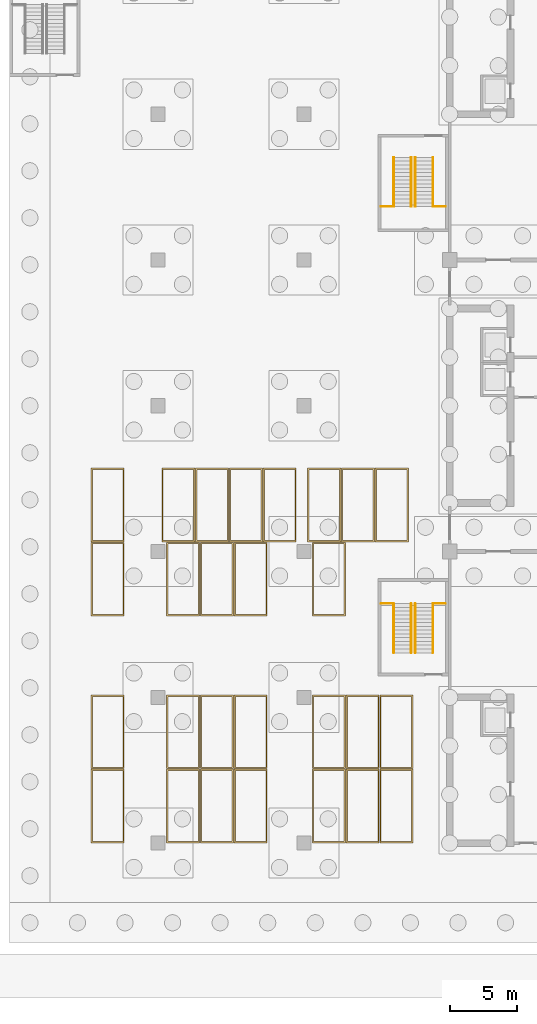
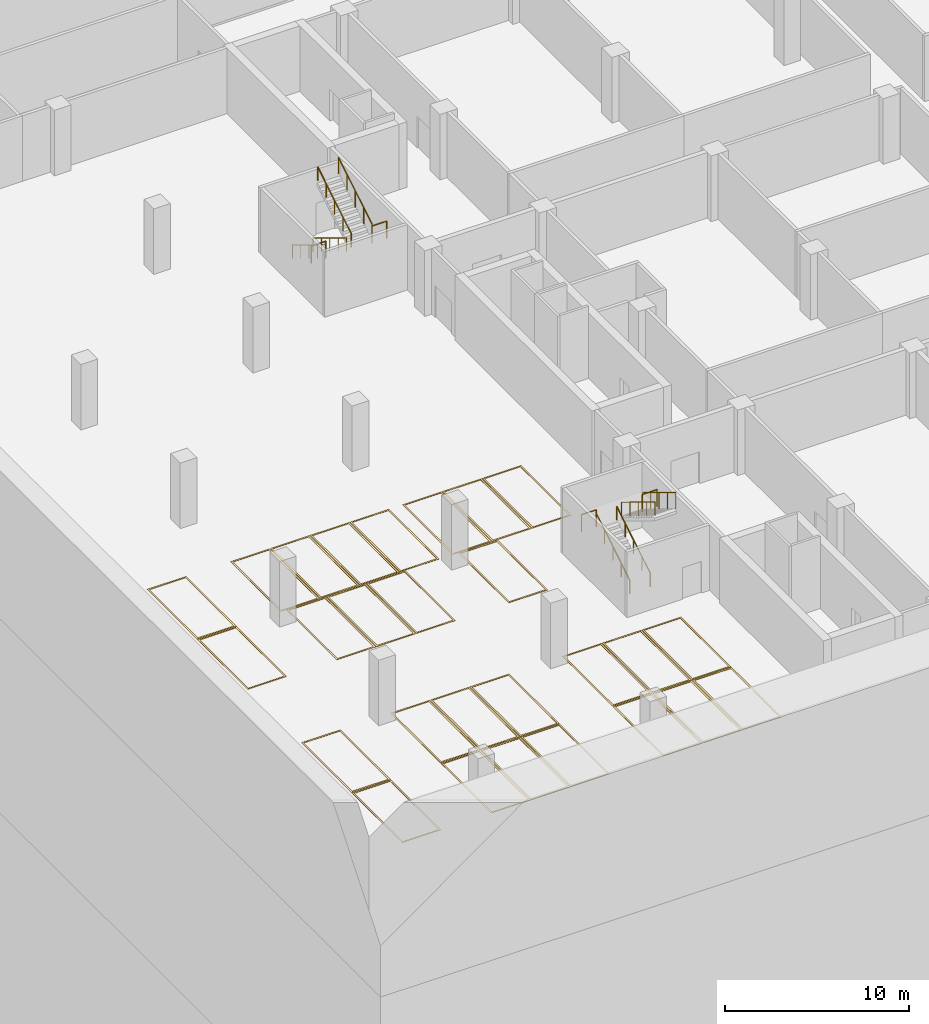
# One storey, part 13 of 18: 27 coverings, 12 railings.
"""IFC4 building model written with IfcOpenShell, lengths in metres."""

from ifc_helpers import new_model, si_unit, direction, frame, origin, origin_2d, place, context, subcontext, project, spatial, polyline, circle, outline, extrude, material, layer, layer_set, type_object, element, save


model = new_model("IFC4")

# Units and contexts
model_context = context("Model", 3, precision=1e-05, world=origin(), true_north=direction((0.0, 1.0)))
body_context = subcontext(model_context, "Body", "Model", "MODEL_VIEW")
ifc_project = project(units=[si_unit("LENGTHUNIT", "METRE"), si_unit("AREAUNIT", "SQUARE_METRE"), si_unit("VOLUMEUNIT", "CUBIC_METRE"), si_unit("PLANEANGLEUNIT", "RADIAN"), si_unit("MASSUNIT", "GRAM", prefix="KILO")], contexts=[model_context])

# Site, building, storey
site_placement = place(None, origin())
site = spatial("IfcSite", under=ifc_project, at=site_placement, CompositionType="ELEMENT")
building_placement = place(site_placement, origin())
building = spatial("IfcBuilding", under=site, at=building_placement, Name="Basin Gate Institute", CompositionType="ELEMENT")
storey_placement = place(building_placement, frame((0.0, 0.0, -9.60009765625)))
storey = spatial("IfcBuildingStorey", under=building, at=storey_placement, Name="B2", CompositionType="ELEMENT", Elevation=-9.60009765625)

# Coverings
ifc_material_1 = material(Name="Road marking paint, white")
ifc_layer = layer(ifc_material_1, 0.010009765625)
ifc_layer_set = layer_set([ifc_layer], Name="Parking bay marking PM1")
covering_type = type_object("IfcCoveringType", Name="Parking bay marking PM1", PredefinedType="FLOORING", material=ifc_layer_set)
covering_1_placement = place(storey_placement, origin())
element("IfcCovering", 1, at=covering_1_placement, inside=storey, type_object=covering_type, material=ifc_layer_set, Name="Parking bay marking B2-01 01", PredefinedType="FLOORING", context=body_context, shape_type="SweptSolid", body=[
    extrude(outline(polyline([(34.6201171875, 35.1201171875), (37.080078125, 35.1201171875), (37.080078125, 40.580078125), (34.6201171875, 40.580078125), (34.6201171875, 35.1201171875)]), holes=[polyline([(34.719970703125, 35.219970703125), (36.97998046875, 35.219970703125), (36.97998046875, 40.47998046875), (34.719970703125, 40.47998046875), (34.719970703125, 35.219970703125)])]), origin(), (0.0, 0.0, 1.0), 0.010009765625),
])
covering_2_placement = place(storey_placement, origin())
element("IfcCovering", 2, at=covering_2_placement, inside=storey, type_object=covering_type, material=ifc_layer_set, Name="Parking bay marking B2-01 02", PredefinedType="FLOORING", context=body_context, shape_type="SweptSolid", body=[
    extrude(outline(polyline([(40.219970703125, 35.1201171875), (42.679931640625, 35.1201171875), (42.679931640625, 40.580078125), (40.219970703125, 40.580078125), (40.219970703125, 35.1201171875)]), holes=[polyline([(40.320068359375, 35.219970703125), (42.580078125, 35.219970703125), (42.580078125, 40.47998046875), (40.320068359375, 40.47998046875), (40.320068359375, 35.219970703125)])]), origin(), (0.0, 0.0, 1.0), 0.010009765625),
])
covering_3_placement = place(storey_placement, origin())
element("IfcCovering", 3, at=covering_3_placement, inside=storey, type_object=covering_type, material=ifc_layer_set, Name="Parking bay marking B2-01 03", PredefinedType="FLOORING", context=body_context, shape_type="SweptSolid", body=[
    extrude(outline(polyline([(42.719970703125, 35.1201171875), (45.179931640625, 35.1201171875), (45.179931640625, 40.580078125), (42.719970703125, 40.580078125), (42.719970703125, 35.1201171875)]), holes=[polyline([(42.820068359375, 35.219970703125), (45.080078125, 35.219970703125), (45.080078125, 40.47998046875), (42.820068359375, 40.47998046875), (42.820068359375, 35.219970703125)])]), origin(), (0.0, 0.0, 1.0), 0.010009765625),
])
covering_4_placement = place(storey_placement, origin())
element("IfcCovering", 4, at=covering_4_placement, inside=storey, type_object=covering_type, material=ifc_layer_set, Name="Parking bay marking B2-01 04", PredefinedType="FLOORING", context=body_context, shape_type="SweptSolid", body=[
    extrude(outline(polyline([(45.219970703125, 35.1201171875), (47.679931640625, 35.1201171875), (47.679931640625, 40.580078125), (45.219970703125, 40.580078125), (45.219970703125, 35.1201171875)]), holes=[polyline([(45.320068359375, 35.219970703125), (47.580078125, 35.219970703125), (47.580078125, 40.47998046875), (45.320068359375, 40.47998046875), (45.320068359375, 35.219970703125)])]), origin(), (0.0, 0.0, 1.0), 0.010009765625),
])
covering_5_placement = place(storey_placement, origin())
element("IfcCovering", 5, at=covering_5_placement, inside=storey, type_object=covering_type, material=ifc_layer_set, Name="Parking bay marking B2-01 05", PredefinedType="FLOORING", context=body_context, shape_type="SweptSolid", body=[
    extrude(outline(polyline([(51.02001953125, 35.1201171875), (53.47998046875, 35.1201171875), (53.47998046875, 40.580078125), (51.02001953125, 40.580078125), (51.02001953125, 35.1201171875)]), holes=[polyline([(51.1201171875, 35.219970703125), (53.3798828125, 35.219970703125), (53.3798828125, 40.47998046875), (51.1201171875, 40.47998046875), (51.1201171875, 35.219970703125)])]), origin(), (0.0, 0.0, 1.0), 0.010009765625),
])
covering_6_placement = place(storey_placement, origin())
element("IfcCovering", 6, at=covering_6_placement, inside=storey, type_object=covering_type, material=ifc_layer_set, Name="Parking bay marking B2-01 06", PredefinedType="FLOORING", context=body_context, shape_type="SweptSolid", body=[
    extrude(outline(polyline([(53.52001953125, 35.1201171875), (55.97998046875, 35.1201171875), (55.97998046875, 40.580078125), (53.52001953125, 40.580078125), (53.52001953125, 35.1201171875)]), holes=[polyline([(53.6201171875, 35.219970703125), (55.8798828125, 35.219970703125), (55.8798828125, 40.47998046875), (53.6201171875, 40.47998046875), (53.6201171875, 35.219970703125)])]), origin(), (0.0, 0.0, 1.0), 0.010009765625),
])
covering_7_placement = place(storey_placement, origin())
element("IfcCovering", 7, at=covering_7_placement, inside=storey, type_object=covering_type, material=ifc_layer_set, Name="Parking bay marking B2-01 07", PredefinedType="FLOORING", context=body_context, shape_type="SweptSolid", body=[
    extrude(outline(polyline([(56.02001953125, 35.1201171875), (58.47998046875, 35.1201171875), (58.47998046875, 40.580078125), (56.02001953125, 40.580078125), (56.02001953125, 35.1201171875)]), holes=[polyline([(56.1201171875, 35.219970703125), (58.3798828125, 35.219970703125), (58.3798828125, 40.47998046875), (56.1201171875, 40.47998046875), (56.1201171875, 35.219970703125)])]), origin(), (0.0, 0.0, 1.0), 0.010009765625),
])
covering_8_placement = place(storey_placement, origin())
element("IfcCovering", 8, at=covering_8_placement, inside=storey, type_object=covering_type, material=ifc_layer_set, Name="Parking bay marking B2-01 08", PredefinedType="FLOORING", context=body_context, shape_type="SweptSolid", body=[
    extrude(outline(polyline([(34.6201171875, 40.6201171875), (37.080078125, 40.6201171875), (37.080078125, 46.080078125), (34.6201171875, 46.080078125), (34.6201171875, 40.6201171875)]), holes=[polyline([(34.719970703125, 40.719970703125), (36.97998046875, 40.719970703125), (36.97998046875, 45.97998046875), (34.719970703125, 45.97998046875), (34.719970703125, 40.719970703125)])]), origin(), (0.0, 0.0, 1.0), 0.010009765625),
])
covering_9_placement = place(storey_placement, origin())
element("IfcCovering", 9, at=covering_9_placement, inside=storey, type_object=covering_type, material=ifc_layer_set, Name="Parking bay marking B2-01 09", PredefinedType="FLOORING", context=body_context, shape_type="SweptSolid", body=[
    extrude(outline(polyline([(40.219970703125, 40.6201171875), (42.679931640625, 40.6201171875), (42.679931640625, 46.080078125), (40.219970703125, 46.080078125), (40.219970703125, 40.6201171875)]), holes=[polyline([(40.320068359375, 40.719970703125), (42.580078125, 40.719970703125), (42.580078125, 45.97998046875), (40.320068359375, 45.97998046875), (40.320068359375, 40.719970703125)])]), origin(), (0.0, 0.0, 1.0), 0.010009765625),
])
covering_10_placement = place(storey_placement, origin())
element("IfcCovering", 10, at=covering_10_placement, inside=storey, type_object=covering_type, material=ifc_layer_set, Name="Parking bay marking B2-01 10", PredefinedType="FLOORING", context=body_context, shape_type="SweptSolid", body=[
    extrude(outline(polyline([(42.719970703125, 40.6201171875), (45.179931640625, 40.6201171875), (45.179931640625, 46.080078125), (42.719970703125, 46.080078125), (42.719970703125, 40.6201171875)]), holes=[polyline([(42.820068359375, 40.719970703125), (45.080078125, 40.719970703125), (45.080078125, 45.97998046875), (42.820068359375, 45.97998046875), (42.820068359375, 40.719970703125)])]), origin(), (0.0, 0.0, 1.0), 0.010009765625),
])
covering_11_placement = place(storey_placement, origin())
element("IfcCovering", 11, at=covering_11_placement, inside=storey, type_object=covering_type, material=ifc_layer_set, Name="Parking bay marking B2-01 11", PredefinedType="FLOORING", context=body_context, shape_type="SweptSolid", body=[
    extrude(outline(polyline([(45.219970703125, 40.6201171875), (47.679931640625, 40.6201171875), (47.679931640625, 46.080078125), (45.219970703125, 46.080078125), (45.219970703125, 40.6201171875)]), holes=[polyline([(45.320068359375, 40.719970703125), (47.580078125, 40.719970703125), (47.580078125, 45.97998046875), (45.320068359375, 45.97998046875), (45.320068359375, 40.719970703125)])]), origin(), (0.0, 0.0, 1.0), 0.010009765625),
])
covering_12_placement = place(storey_placement, origin())
element("IfcCovering", 12, at=covering_12_placement, inside=storey, type_object=covering_type, material=ifc_layer_set, Name="Parking bay marking B2-01 12", PredefinedType="FLOORING", context=body_context, shape_type="SweptSolid", body=[
    extrude(outline(polyline([(51.02001953125, 40.6201171875), (53.47998046875, 40.6201171875), (53.47998046875, 46.080078125), (51.02001953125, 46.080078125), (51.02001953125, 40.6201171875)]), holes=[polyline([(51.1201171875, 40.719970703125), (53.3798828125, 40.719970703125), (53.3798828125, 45.97998046875), (51.1201171875, 45.97998046875), (51.1201171875, 40.719970703125)])]), origin(), (0.0, 0.0, 1.0), 0.010009765625),
])
covering_13_placement = place(storey_placement, origin())
element("IfcCovering", 13, at=covering_13_placement, inside=storey, type_object=covering_type, material=ifc_layer_set, Name="Parking bay marking B2-01 13", PredefinedType="FLOORING", context=body_context, shape_type="SweptSolid", body=[
    extrude(outline(polyline([(53.52001953125, 40.6201171875), (55.97998046875, 40.6201171875), (55.97998046875, 46.080078125), (53.52001953125, 46.080078125), (53.52001953125, 40.6201171875)]), holes=[polyline([(53.6201171875, 40.719970703125), (55.8798828125, 40.719970703125), (55.8798828125, 45.97998046875), (53.6201171875, 45.97998046875), (53.6201171875, 40.719970703125)])]), origin(), (0.0, 0.0, 1.0), 0.010009765625),
])
covering_14_placement = place(storey_placement, origin())
element("IfcCovering", 14, at=covering_14_placement, inside=storey, type_object=covering_type, material=ifc_layer_set, Name="Parking bay marking B2-01 14", PredefinedType="FLOORING", context=body_context, shape_type="SweptSolid", body=[
    extrude(outline(polyline([(56.02001953125, 40.6201171875), (58.47998046875, 40.6201171875), (58.47998046875, 46.080078125), (56.02001953125, 46.080078125), (56.02001953125, 40.6201171875)]), holes=[polyline([(56.1201171875, 40.719970703125), (58.3798828125, 40.719970703125), (58.3798828125, 45.97998046875), (56.1201171875, 45.97998046875), (56.1201171875, 40.719970703125)])]), origin(), (0.0, 0.0, 1.0), 0.010009765625),
])
covering_15_placement = place(storey_placement, origin())
element("IfcCovering", 15, at=covering_15_placement, inside=storey, type_object=covering_type, material=ifc_layer_set, Name="Parking bay marking B2-01 15", PredefinedType="FLOORING", context=body_context, shape_type="SweptSolid", body=[
    extrude(outline(polyline([(34.6201171875, 51.919921875), (37.080078125, 51.919921875), (37.080078125, 57.3798828125), (34.6201171875, 57.3798828125), (34.6201171875, 51.919921875)]), holes=[polyline([(34.719970703125, 52.02001953125), (36.97998046875, 52.02001953125), (36.97998046875, 57.280029296875), (34.719970703125, 57.280029296875), (34.719970703125, 52.02001953125)])]), origin(), (0.0, 0.0, 1.0), 0.010009765625),
])
covering_16_placement = place(storey_placement, origin())
element("IfcCovering", 16, at=covering_16_placement, inside=storey, type_object=covering_type, material=ifc_layer_set, Name="Parking bay marking B2-01 16", PredefinedType="FLOORING", context=body_context, shape_type="SweptSolid", body=[
    extrude(outline(polyline([(40.219970703125, 51.919921875), (42.679931640625, 51.919921875), (42.679931640625, 57.3798828125), (40.219970703125, 57.3798828125), (40.219970703125, 51.919921875)]), holes=[polyline([(40.320068359375, 52.02001953125), (42.580078125, 52.02001953125), (42.580078125, 57.280029296875), (40.320068359375, 57.280029296875), (40.320068359375, 52.02001953125)])]), origin(), (0.0, 0.0, 1.0), 0.010009765625),
])
covering_17_placement = place(storey_placement, origin())
element("IfcCovering", 17, at=covering_17_placement, inside=storey, type_object=covering_type, material=ifc_layer_set, Name="Parking bay marking B2-01 17", PredefinedType="FLOORING", context=body_context, shape_type="SweptSolid", body=[
    extrude(outline(polyline([(42.719970703125, 51.919921875), (45.179931640625, 51.919921875), (45.179931640625, 57.3798828125), (42.719970703125, 57.3798828125), (42.719970703125, 51.919921875)]), holes=[polyline([(42.820068359375, 52.02001953125), (45.080078125, 52.02001953125), (45.080078125, 57.280029296875), (42.820068359375, 57.280029296875), (42.820068359375, 52.02001953125)])]), origin(), (0.0, 0.0, 1.0), 0.010009765625),
])
covering_18_placement = place(storey_placement, origin())
element("IfcCovering", 18, at=covering_18_placement, inside=storey, type_object=covering_type, material=ifc_layer_set, Name="Parking bay marking B2-01 18", PredefinedType="FLOORING", context=body_context, shape_type="SweptSolid", body=[
    extrude(outline(polyline([(45.219970703125, 51.919921875), (47.679931640625, 51.919921875), (47.679931640625, 57.3798828125), (45.219970703125, 57.3798828125), (45.219970703125, 51.919921875)]), holes=[polyline([(45.320068359375, 52.02001953125), (47.580078125, 52.02001953125), (47.580078125, 57.280029296875), (45.320068359375, 57.280029296875), (45.320068359375, 52.02001953125)])]), origin(), (0.0, 0.0, 1.0), 0.010009765625),
])
covering_19_placement = place(storey_placement, origin())
element("IfcCovering", 19, at=covering_19_placement, inside=storey, type_object=covering_type, material=ifc_layer_set, Name="Parking bay marking B2-01 19", PredefinedType="FLOORING", context=body_context, shape_type="SweptSolid", body=[
    extrude(outline(polyline([(51.02001953125, 51.919921875), (53.47998046875, 51.919921875), (53.47998046875, 57.3798828125), (51.02001953125, 57.3798828125), (51.02001953125, 51.919921875)]), holes=[polyline([(51.1201171875, 52.02001953125), (53.3798828125, 52.02001953125), (53.3798828125, 57.280029296875), (51.1201171875, 57.280029296875), (51.1201171875, 52.02001953125)])]), origin(), (0.0, 0.0, 1.0), 0.010009765625),
])
covering_20_placement = place(storey_placement, origin())
element("IfcCovering", 20, at=covering_20_placement, inside=storey, type_object=covering_type, material=ifc_layer_set, Name="Parking bay marking B2-01 20", PredefinedType="FLOORING", context=body_context, shape_type="SweptSolid", body=[
    extrude(outline(polyline([(34.6201171875, 57.419921875), (37.080078125, 57.419921875), (37.080078125, 62.8798828125), (34.6201171875, 62.8798828125), (34.6201171875, 57.419921875)]), holes=[polyline([(34.719970703125, 57.52001953125), (36.97998046875, 57.52001953125), (36.97998046875, 62.780029296875), (34.719970703125, 62.780029296875), (34.719970703125, 57.52001953125)])]), origin(), (0.0, 0.0, 1.0), 0.010009765625),
])
covering_21_placement = place(storey_placement, origin())
element("IfcCovering", 21, at=covering_21_placement, inside=storey, type_object=covering_type, material=ifc_layer_set, Name="Parking bay marking B2-01 21", PredefinedType="FLOORING", context=body_context, shape_type="SweptSolid", body=[
    extrude(outline(polyline([(39.8701171875, 57.419921875), (42.330078125, 57.419921875), (42.330078125, 62.8798828125), (39.8701171875, 62.8798828125), (39.8701171875, 57.419921875)]), holes=[polyline([(39.969970703125, 57.52001953125), (42.22998046875, 57.52001953125), (42.22998046875, 62.780029296875), (39.969970703125, 62.780029296875), (39.969970703125, 57.52001953125)])]), origin(), (0.0, 0.0, 1.0), 0.010009765625),
])
covering_22_placement = place(storey_placement, origin())
element("IfcCovering", 22, at=covering_22_placement, inside=storey, type_object=covering_type, material=ifc_layer_set, Name="Parking bay marking B2-01 22", PredefinedType="FLOORING", context=body_context, shape_type="SweptSolid", body=[
    extrude(outline(polyline([(42.3701171875, 57.419921875), (44.830078125, 57.419921875), (44.830078125, 62.8798828125), (42.3701171875, 62.8798828125), (42.3701171875, 57.419921875)]), holes=[polyline([(42.469970703125, 57.52001953125), (44.72998046875, 57.52001953125), (44.72998046875, 62.780029296875), (42.469970703125, 62.780029296875), (42.469970703125, 57.52001953125)])]), origin(), (0.0, 0.0, 1.0), 0.010009765625),
])
covering_23_placement = place(storey_placement, origin())
element("IfcCovering", 23, at=covering_23_placement, inside=storey, type_object=covering_type, material=ifc_layer_set, Name="Parking bay marking B2-01 23", PredefinedType="FLOORING", context=body_context, shape_type="SweptSolid", body=[
    extrude(outline(polyline([(44.8701171875, 57.419921875), (47.330078125, 57.419921875), (47.330078125, 62.8798828125), (44.8701171875, 62.8798828125), (44.8701171875, 57.419921875)]), holes=[polyline([(44.969970703125, 57.52001953125), (47.22998046875, 57.52001953125), (47.22998046875, 62.780029296875), (44.969970703125, 62.780029296875), (44.969970703125, 57.52001953125)])]), origin(), (0.0, 0.0, 1.0), 0.010009765625),
])
covering_24_placement = place(storey_placement, origin())
element("IfcCovering", 24, at=covering_24_placement, inside=storey, type_object=covering_type, material=ifc_layer_set, Name="Parking bay marking B2-01 24", PredefinedType="FLOORING", context=body_context, shape_type="SweptSolid", body=[
    extrude(outline(polyline([(47.3701171875, 57.419921875), (49.830078125, 57.419921875), (49.830078125, 62.8798828125), (47.3701171875, 62.8798828125), (47.3701171875, 57.419921875)]), holes=[polyline([(47.469970703125, 57.52001953125), (49.72998046875, 57.52001953125), (49.72998046875, 62.780029296875), (47.469970703125, 62.780029296875), (47.469970703125, 57.52001953125)])]), origin(), (0.0, 0.0, 1.0), 0.010009765625),
])
covering_25_placement = place(storey_placement, origin())
element("IfcCovering", 25, at=covering_25_placement, inside=storey, type_object=covering_type, material=ifc_layer_set, Name="Parking bay marking B2-01 25", PredefinedType="FLOORING", context=body_context, shape_type="SweptSolid", body=[
    extrude(outline(polyline([(50.669921875, 57.419921875), (53.1298828125, 57.419921875), (53.1298828125, 62.8798828125), (50.669921875, 62.8798828125), (50.669921875, 57.419921875)]), holes=[polyline([(50.77001953125, 57.52001953125), (53.030029296875, 57.52001953125), (53.030029296875, 62.780029296875), (50.77001953125, 62.780029296875), (50.77001953125, 57.52001953125)])]), origin(), (0.0, 0.0, 1.0), 0.010009765625),
])
covering_26_placement = place(storey_placement, origin())
element("IfcCovering", 26, at=covering_26_placement, inside=storey, type_object=covering_type, material=ifc_layer_set, Name="Parking bay marking B2-01 26", PredefinedType="FLOORING", context=body_context, shape_type="SweptSolid", body=[
    extrude(outline(polyline([(53.169921875, 57.419921875), (55.6298828125, 57.419921875), (55.6298828125, 62.8798828125), (53.169921875, 62.8798828125), (53.169921875, 57.419921875)]), holes=[polyline([(53.27001953125, 57.52001953125), (55.530029296875, 57.52001953125), (55.530029296875, 62.780029296875), (53.27001953125, 62.780029296875), (53.27001953125, 57.52001953125)])]), origin(), (0.0, 0.0, 1.0), 0.010009765625),
])
covering_27_placement = place(storey_placement, origin())
element("IfcCovering", 27, at=covering_27_placement, inside=storey, type_object=covering_type, material=ifc_layer_set, Name="Parking bay marking B2-01 27", PredefinedType="FLOORING", context=body_context, shape_type="SweptSolid", body=[
    extrude(outline(polyline([(55.669921875, 57.419921875), (58.1298828125, 57.419921875), (58.1298828125, 62.8798828125), (55.669921875, 62.8798828125), (55.669921875, 57.419921875)]), holes=[polyline([(55.77001953125, 57.52001953125), (58.030029296875, 57.52001953125), (58.030029296875, 62.780029296875), (55.77001953125, 62.780029296875), (55.77001953125, 57.52001953125)])]), origin(), (0.0, 0.0, 1.0), 0.010009765625),
])

# Railings
ifc_material_2 = material(Name="Stainless steel", Category="steel")
railing_type_1 = type_object("IfcRailingType", Name="Stair guard GR1", PredefinedType="GUARDRAIL", material=ifc_material_2)
railing_1_placement = place(storey_placement, frame((59.949951171875, 52.840087890625, 2.571533203125)))
element("IfcRailing", 28, at=railing_1_placement, inside=storey, type_object=railing_type_1, material=ifc_material_2, Name="Stair guard GR1 BS1 GD1", PredefinedType="GUARDRAIL", context=body_context, shape_type="SweptSolid", body=[
    extrude(circle(Radius=0.02392578125, at=origin_2d()), frame((0.0, 0.0, 1.076171875), z_axis=(0.0, -0.852865859571, 0.52213008492), x_axis=(1.0, 0.0, 0.0)), (0.0, 0.0, 1.0), 4.26806640625),
    extrude(circle(Radius=0.02099609375, at=origin_2d()), origin(), (0.0, 0.0, 1.0), 1.052001953125),
    extrude(circle(Radius=0.02099609375, at=origin_2d()), frame((0.0, -0.91015625, 0.55712890625)), (0.0, 0.0, 1.0), 1.052001953125),
    extrude(circle(Radius=0.02099609375, at=origin_2d()), frame((0.0, -1.820068359375, 1.1142578125)), (0.0, 0.0, 1.0), 1.052001953125),
    extrude(circle(Radius=0.02099609375, at=origin_2d()), frame((0.0, -2.72998046875, 1.67138671875)), (0.0, 0.0, 1.0), 1.052001953125),
    extrude(circle(Radius=0.02099609375, at=origin_2d()), frame((0.0, -3.64013671875, 2.228515625)), (0.0, 0.0, 1.0), 1.052001953125),
])
railing_2_placement = place(storey_placement, frame((59.949951171875, 82.260009765625, 2.571533203125)))
element("IfcRailing", 29, at=railing_2_placement, inside=storey, type_object=railing_type_1, material=ifc_material_2, Name="Stair guard GR1 BS2 GD1", PredefinedType="GUARDRAIL", context=body_context, shape_type="SweptSolid", body=[
    extrude(circle(Radius=0.02392578125, at=origin_2d()), frame((0.0, 0.0, 1.076171875), z_axis=(0.0, 0.852850264322, 0.5221555579), x_axis=(-1.0, 0.0, 0.0)), (0.0, 0.0, 1.0), 4.267822265625),
    extrude(circle(Radius=0.02099609375, at=origin_2d()), origin(), (0.0, 0.0, 1.0), 1.052001953125),
    extrude(circle(Radius=0.02099609375, at=origin_2d()), frame((0.0, 0.909912109375, 0.55712890625)), (0.0, 0.0, 1.0), 1.052001953125),
    extrude(circle(Radius=0.02099609375, at=origin_2d()), frame((0.0, 1.81982421875, 1.1142578125)), (0.0, 0.0, 1.0), 1.052001953125),
    extrude(circle(Radius=0.02099609375, at=origin_2d()), frame((0.0, 2.72998046875, 1.67138671875)), (0.0, 0.0, 1.0), 1.052001953125),
    extrude(circle(Radius=0.02099609375, at=origin_2d()), frame((0.0, 3.639892578125, 2.228515625)), (0.0, 0.0, 1.0), 1.052001953125),
])
ifc_material_3 = material(Name="Stainless steel", Category="steel")
railing_type_2 = type_object("IfcRailingType", Name="Stair guard GR3", PredefinedType="GUARDRAIL", material=ifc_material_3)
for number, where, name in (
    (30, (59.949951171875, 52.840087890625, 2.400146484375), "Stair guard GR3 BS1 GD2"),
    (31, (56.1298828125, 52.840087890625, 2.400146484375), "Stair guard GR3 BS1 GD2b"),
    (32, (59.949951171875, 82.260009765625, 2.400146484375), "Stair guard GR3 BS2 GD2"),
    (33, (56.1298828125, 82.260009765625, 2.400146484375), "Stair guard GR3 BS2 GD2b"),
):
    element("IfcRailing", number, at=place(storey_placement, frame(where)), inside=storey, type_object=railing_type_2, material=ifc_material_3, Name=name, PredefinedType="GUARDRAIL", context=body_context, shape_type="SweptSolid", body=[
        extrude(circle(Radius=0.02392578125, at=origin_2d()), frame((0.0, 0.0, 1.1259765625), z_axis=(1.0, 0.0, 0.0), x_axis=(0.0, 1.0, 0.0)), (0.0, 0.0, 1.0), 0.920166015625),
        extrude(circle(Radius=0.02099609375, at=origin_2d()), origin(), (0.0, 0.0, 1.0), 1.101806640625),
        extrude(circle(Radius=0.02099609375, at=origin_2d()), frame((0.920166015625, 0.0, 0.0)), (0.0, 0.0, 1.0), 1.101806640625),
    ])
ifc_material_4 = material(Name="Stainless steel", Category="steel")
railing_type_3 = type_object("IfcRailingType", Name="Stair handrail HR1", PredefinedType="HANDRAIL", material=ifc_material_4)
for number, where, name in (
    (34, (57.050048828125, 49.199951171875, 0.171630859375), "Stair handrail HR1 BS1 HR1"),
    (35, (58.35009765625, 49.199951171875, 0.171630859375), "Stair handrail HR1 BS1 HR2"),
):
    element("IfcRailing", number, at=place(storey_placement, frame(where)), inside=storey, type_object=railing_type_3, material=ifc_material_4, Name=name, PredefinedType="HANDRAIL", context=body_context, shape_type="SweptSolid", body=[
        extrude(circle(Radius=0.02392578125, at=origin_2d()), frame((0.0, 0.0, 0.89599609375), z_axis=(0.0, 0.852865859571, 0.52213008492), x_axis=(-1.0, 0.0, 0.0)), (0.0, 0.0, 1.0), 4.26806640625),
        extrude(circle(Radius=0.02099609375, at=origin_2d()), origin(), (0.0, 0.0, 1.0), 0.871826171875),
        extrude(circle(Radius=0.02099609375, at=origin_2d()), frame((0.0, 0.91015625, 0.55712890625)), (0.0, 0.0, 1.0), 0.871826171875),
        extrude(circle(Radius=0.02099609375, at=origin_2d()), frame((0.0, 1.820068359375, 1.1142578125)), (0.0, 0.0, 1.0), 0.871826171875),
        extrude(circle(Radius=0.02099609375, at=origin_2d()), frame((0.0, 2.72998046875, 1.67138671875)), (0.0, 0.0, 1.0), 0.871826171875),
        extrude(circle(Radius=0.02099609375, at=origin_2d()), frame((0.0, 3.64013671875, 2.228515625)), (0.0, 0.0, 1.0), 0.871826171875),
    ])
railing_3_placement = place(storey_placement, frame((58.64990234375, 52.840087890625, 2.571533203125)))
element("IfcRailing", 36, at=railing_3_placement, inside=storey, type_object=railing_type_3, material=ifc_material_4, Name="Stair handrail HR1 BS1 HR3", PredefinedType="HANDRAIL", context=body_context, shape_type="SweptSolid", body=[
    extrude(circle(Radius=0.02392578125, at=origin_2d()), frame((0.0, 0.0, 0.89599609375), z_axis=(0.0, -0.852865859571, 0.52213008492), x_axis=(1.0, 0.0, 0.0)), (0.0, 0.0, 1.0), 4.26806640625),
    extrude(circle(Radius=0.02099609375, at=origin_2d()), origin(), (0.0, 0.0, 1.0), 0.871826171875),
    extrude(circle(Radius=0.02099609375, at=origin_2d()), frame((0.0, -0.91015625, 0.55712890625)), (0.0, 0.0, 1.0), 0.871826171875),
    extrude(circle(Radius=0.02099609375, at=origin_2d()), frame((0.0, -1.820068359375, 1.1142578125)), (0.0, 0.0, 1.0), 0.871826171875),
    extrude(circle(Radius=0.02099609375, at=origin_2d()), frame((0.0, -2.72998046875, 1.67138671875)), (0.0, 0.0, 1.0), 0.871826171875),
    extrude(circle(Radius=0.02099609375, at=origin_2d()), frame((0.0, -3.64013671875, 2.228515625)), (0.0, 0.0, 1.0), 0.871826171875),
])
for number, where, name in (
    (37, (57.050048828125, 85.89990234375, 0.171630859375), "Stair handrail HR1 BS2 HR1"),
    (38, (58.35009765625, 85.89990234375, 0.171630859375), "Stair handrail HR1 BS2 HR2"),
):
    element("IfcRailing", number, at=place(storey_placement, frame(where)), inside=storey, type_object=railing_type_3, material=ifc_material_4, Name=name, PredefinedType="HANDRAIL", context=body_context, shape_type="SweptSolid", body=[
        extrude(circle(Radius=0.02392578125, at=origin_2d()), frame((0.0, 0.0, 0.89599609375), z_axis=(0.0, -0.852850264322, 0.5221555579), x_axis=(1.0, 0.0, 0.0)), (0.0, 0.0, 1.0), 4.267822265625),
        extrude(circle(Radius=0.02099609375, at=origin_2d()), origin(), (0.0, 0.0, 1.0), 0.871826171875),
        extrude(circle(Radius=0.02099609375, at=origin_2d()), frame((0.0, -0.909912109375, 0.55712890625)), (0.0, 0.0, 1.0), 0.871826171875),
        extrude(circle(Radius=0.02099609375, at=origin_2d()), frame((0.0, -1.81982421875, 1.1142578125)), (0.0, 0.0, 1.0), 0.871826171875),
        extrude(circle(Radius=0.02099609375, at=origin_2d()), frame((0.0, -2.72998046875, 1.67138671875)), (0.0, 0.0, 1.0), 0.871826171875),
        extrude(circle(Radius=0.02099609375, at=origin_2d()), frame((0.0, -3.639892578125, 2.228515625)), (0.0, 0.0, 1.0), 0.871826171875),
    ])
railing_4_placement = place(storey_placement, frame((58.64990234375, 82.260009765625, 2.571533203125)))
element("IfcRailing", 39, at=railing_4_placement, inside=storey, type_object=railing_type_3, material=ifc_material_4, Name="Stair handrail HR1 BS2 HR3", PredefinedType="HANDRAIL", context=body_context, shape_type="SweptSolid", body=[
    extrude(circle(Radius=0.02392578125, at=origin_2d()), frame((0.0, 0.0, 0.89599609375), z_axis=(0.0, 0.852850264322, 0.5221555579), x_axis=(-1.0, 0.0, 0.0)), (0.0, 0.0, 1.0), 4.267822265625),
    extrude(circle(Radius=0.02099609375, at=origin_2d()), origin(), (0.0, 0.0, 1.0), 0.871826171875),
    extrude(circle(Radius=0.02099609375, at=origin_2d()), frame((0.0, 0.909912109375, 0.55712890625)), (0.0, 0.0, 1.0), 0.871826171875),
    extrude(circle(Radius=0.02099609375, at=origin_2d()), frame((0.0, 1.81982421875, 1.1142578125)), (0.0, 0.0, 1.0), 0.871826171875),
    extrude(circle(Radius=0.02099609375, at=origin_2d()), frame((0.0, 2.72998046875, 1.67138671875)), (0.0, 0.0, 1.0), 0.871826171875),
    extrude(circle(Radius=0.02099609375, at=origin_2d()), frame((0.0, 3.639892578125, 2.228515625)), (0.0, 0.0, 1.0), 0.871826171875),
])

save(model, "model.ifc")
